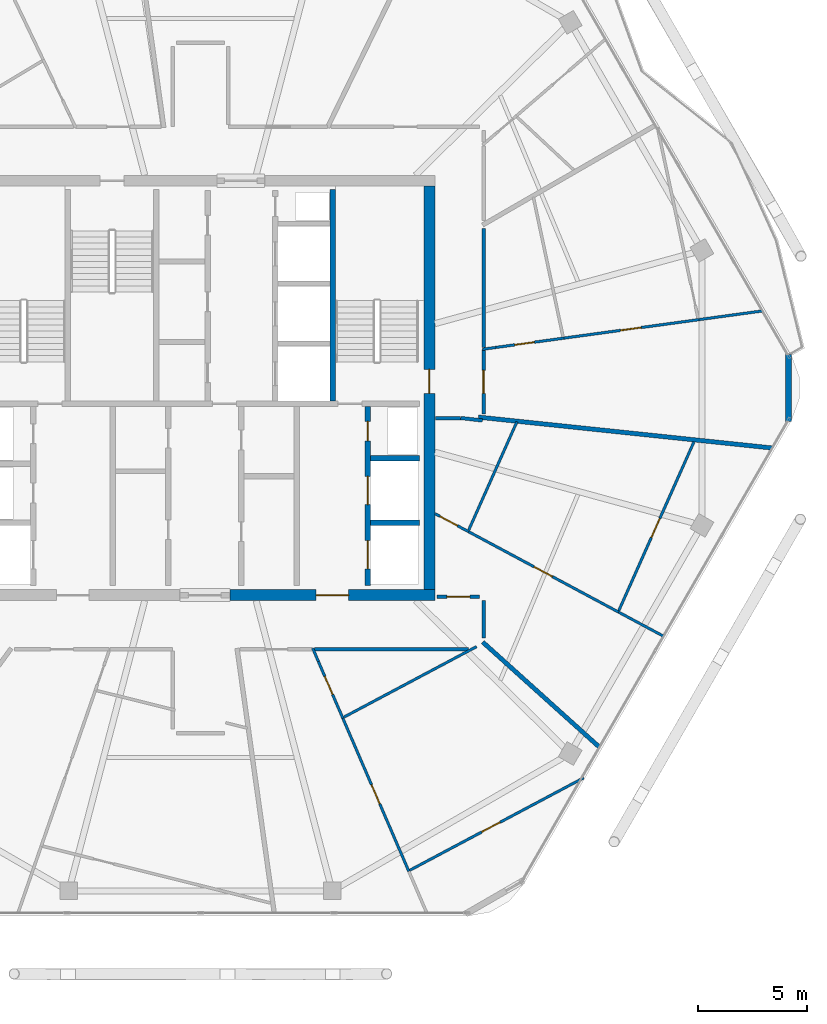
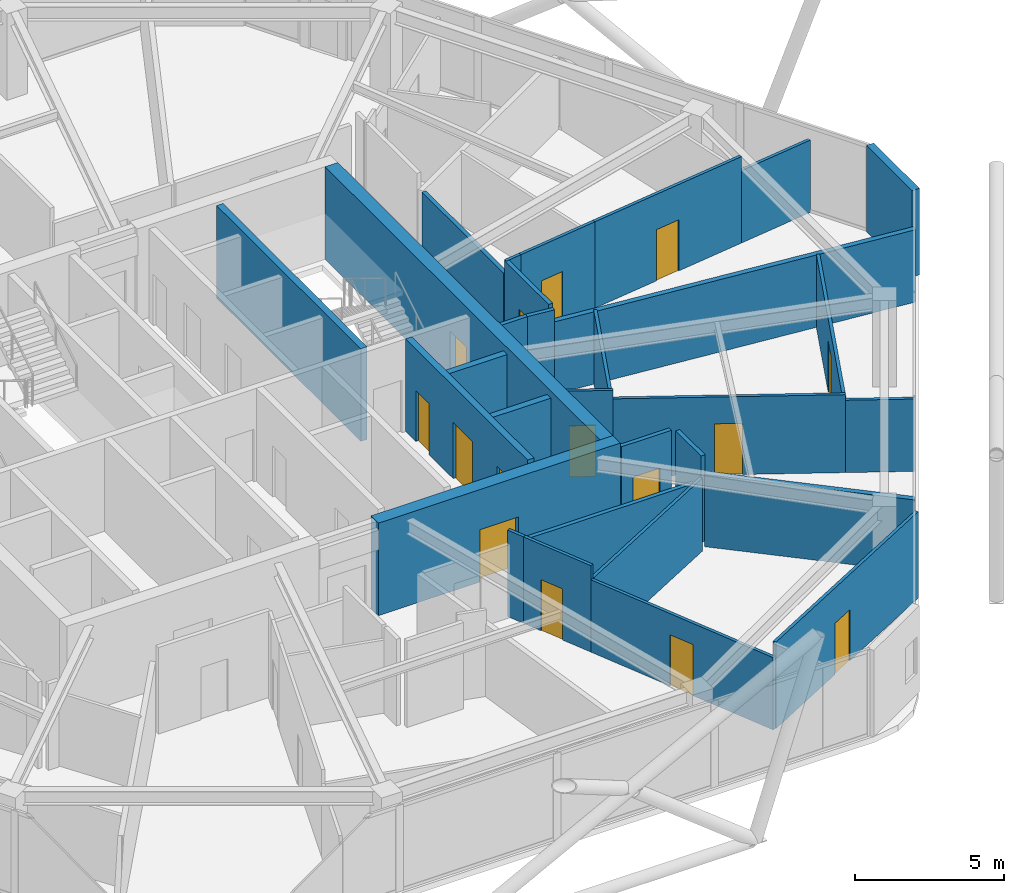
# One storey, part 19 of 24: 30 walls, 15 doors, 15 openings.
"""IFC4 building model written with IfcOpenShell, lengths in metres."""

from ifc_helpers import new_model, si_unit, direction, frame, frame_2d, origin, place, context, subcontext, project, spatial, rectangle, extrude, material, layer, layer_set, type_object, element, fill, save


model = new_model("IFC4")

# Units and contexts
model_context = context("Model", 3, precision=1e-05, world=origin(), true_north=direction((0.0, 1.0)))
body_context = subcontext(model_context, "Body", "Model", "MODEL_VIEW")
ifc_project = project(units=[si_unit("LENGTHUNIT", "METRE"), si_unit("AREAUNIT", "SQUARE_METRE"), si_unit("VOLUMEUNIT", "CUBIC_METRE"), si_unit("PLANEANGLEUNIT", "RADIAN"), si_unit("MASSUNIT", "GRAM", prefix="KILO")], contexts=[model_context])

# Site, building, storey
site_placement = place(None, origin())
site = spatial("IfcSite", under=ifc_project, at=site_placement, CompositionType="ELEMENT")
building_placement = place(site_placement, origin())
building = spatial("IfcBuilding", under=site, at=building_placement, Name="Zuhravey Tower", CompositionType="ELEMENT")
storey_placement = place(building_placement, frame((0.0, 0.0, 308.199951171875)))
storey = spatial("IfcBuildingStorey", under=building, at=storey_placement, Name="L78", CompositionType="ELEMENT", Elevation=308.199951171875)

# Wall, opening, door
ifc_material_1 = material(Name="Concrete C50/60", Category="concrete")
ifc_layer_1 = layer(ifc_material_1, 0.5)
ifc_layer_set_1 = layer_set([ifc_layer_1], Name="Concrete C50/60")
wall_type_1 = type_object("IfcWallType", Name="Core Shear Wall 500", PredefinedType="SHEAR", material=ifc_layer_set_1)
wall_1_placement = place(storey_placement, frame((37.35009765625, 22.5, 0.0), z_axis=(0.0, 0.0, 1.0), x_axis=(1.0, 0.0, 0.0)))
wall_1 = element("IfcWall", 1, at=wall_1_placement, inside=storey, type_object=wall_type_1, Name="L78 South-East Core Shear Wall CW50", PredefinedType="SHEAR", context=body_context, shape_type="SweptSolid", body=[
    extrude(rectangle(XDim=9.39990234375, YDim=0.5, at=frame_2d((4.699951171875, 0.0))), origin(), (0.0, 0.0, 1.0), 3.800048828125),
])
opening_1_placement = place(wall_1_placement, frame((3.949951171875, 0.0, 0.0)))
opening_1 = element("IfcOpeningElement", 2, at=opening_1_placement, cuts=wall_1, Name="Opening FFD1", PredefinedType="OPENING", context=body_context, shape_type="SweptSolid", body=[
    extrude(rectangle(XDim=1.5, YDim=2.14990234375, at=frame_2d((0.75, 1.074951171875))), frame((0.0, 0.261962890625, 0.0), z_axis=(0.0, -1.0, 0.0), x_axis=(1.0, 0.0, 0.0)), (0.0, 0.0, 1.0), 0.52392578125),
])
ifc_material_2 = material(Name="Galvanised fire-rated steel leaf", Category="steel")
door_type_1 = type_object("IfcDoorType", Name="Firefighting Lobby Double Door 1500x2150", OperationType="DOUBLE_DOOR_SINGLE_SWING", PredefinedType="DOOR", material=ifc_material_2)
door_1_placement = place(opening_1_placement, origin())
door_1 = element("IfcDoor", 3, at=door_1_placement, inside=storey, type_object=door_type_1, Name="L78 Firefighting Lobby East Door", OperationType="DOUBLE_DOOR_SINGLE_SWING", OverallHeight=2.14990234375, OverallWidth=1.5, PredefinedType="DOOR", context=body_context, shape_type="SweptSolid", body=[
    extrude(rectangle(XDim=1.5, YDim=2.14990234375, at=frame_2d((0.75, 1.074951171875))), frame((0.0, 0.02490234375, 0.0), z_axis=(0.0, -1.0, 0.0), x_axis=(1.0, 0.0, 0.0)), (0.0, 0.0, 1.0), 0.050048828125),
])
fill(opening_1, door_1)

wall_2_placement = place(storey_placement, frame((46.5, 22.75, 0.0), z_axis=(0.0, 0.0, 1.0), x_axis=(0.0, 1.0, 0.0)))
wall_2 = element("IfcWall", 4, at=wall_2_placement, inside=storey, type_object=wall_type_1, Name="L78 East Core Shear Wall CW50", PredefinedType="SHEAR", context=body_context, shape_type="SweptSolid", body=[
    extrude(rectangle(XDim=18.5, YDim=0.5, at=frame_2d((9.25, 0.0))), origin(), (0.0, 0.0, 1.0), 3.800048828125),
])
opening_2_placement = place(wall_2_placement, frame((9.0, 0.0, 0.0)))
opening_2 = element("IfcOpeningElement", 5, at=opening_2_placement, cuts=wall_2, Name="Opening STD1", PredefinedType="OPENING", context=body_context, shape_type="SweptSolid", body=[
    extrude(rectangle(XDim=1.10009765625, YDim=2.14990234375, at=frame_2d((0.550048828125, 1.074951171875))), frame((0.0, 0.261962890625, 0.0), z_axis=(0.0, -1.0, 0.0), x_axis=(1.0, 0.0, 0.0)), (0.0, 0.0, 1.0), 0.52392578125),
])
door_type_2 = type_object("IfcDoorType", Name="Protected Stair Fire Door 1100x2150", OperationType="NOTDEFINED", PredefinedType="USERDEFINED", material=ifc_material_2)
door_2_placement = place(opening_2_placement, origin())
door_2 = element("IfcDoor", 6, at=door_2_placement, inside=storey, type_object=door_type_2, Name="L78 Stair ST2 Door", ObjectType="EXITDOOR", OperationType="SINGLE_SWING_LEFT", OverallHeight=2.14990234375, OverallWidth=1.10009765625, PredefinedType="USERDEFINED", context=body_context, shape_type="SweptSolid", body=[
    extrude(rectangle(XDim=1.10009765625, YDim=2.14990234375, at=frame_2d((0.550048828125, 1.074951171875))), frame((0.0, 0.02490234375, 0.0), z_axis=(0.0, -1.0, 0.0), x_axis=(1.0, 0.0, 0.0)), (0.0, 0.0, 1.0), 0.050048828125),
])
fill(opening_2, door_2)

ifc_material_3 = material(Name="Gypsum fire-rated stud partition")
ifc_layer_2 = layer(ifc_material_3, 0.159912109375)
ifc_layer_set_2 = layer_set([ifc_layer_2], Name="Gypsum fire-rated stud partition")
wall_type_2 = type_object("IfcWallType", Name="Corridor Fire Partition 160", PredefinedType="PARTITIONING", material=ifc_layer_set_2)
wall_3_placement = place(storey_placement, frame((48.800048828125, 22.429931640625, 0.0), z_axis=(0.0, 0.0, 1.0), x_axis=(-1.0, 0.0, 0.0)))
wall_3 = element("IfcWall", 7, at=wall_3_placement, inside=storey, type_object=wall_type_2, Name="L78 IW16 Partition 043", PredefinedType="PARTITIONING", context=body_context, shape_type="SweptSolid", body=[
    extrude(rectangle(XDim=1.952880859375, YDim=0.159912109375, at=frame_2d((0.9765625, 0.0))), origin(), (0.0, 0.0, 1.0), 3.550048828125),
])
opening_3_placement = place(wall_3_placement, frame((0.451416015625, 0.0, 0.0)))
opening_3 = element("IfcOpeningElement", 8, at=opening_3_placement, cuts=wall_3, Name="Opening APD1", PredefinedType="OPENING", context=body_context, shape_type="SweptSolid", body=[
    extrude(rectangle(XDim=1.050048828125, YDim=2.14990234375, at=frame_2d((0.52490234375, 1.074951171875))), frame((0.0, 0.092041015625, 0.0), z_axis=(0.0, -1.0, 0.0), x_axis=(1.0, 0.0, 0.0)), (0.0, 0.0, 1.0), 0.183837890625),
])
ifc_material_4 = material(Name="Solid-core oak fire-rated leaf")
door_type_3 = type_object("IfcDoorType", Name="Apartment Entrance Fire Door 1050x2150", OperationType="NOTDEFINED", PredefinedType="DOOR", material=ifc_material_4)
door_3_placement = place(opening_3_placement, origin())
door_3 = element("IfcDoor", 9, at=door_3_placement, inside=storey, type_object=door_type_3, Name="L78 Door 043.1", OperationType="SINGLE_SWING_RIGHT", OverallHeight=2.14990234375, OverallWidth=1.050048828125, PredefinedType="DOOR", context=body_context, shape_type="SweptSolid", body=[
    extrude(rectangle(XDim=1.050048828125, YDim=2.14990234375, at=frame_2d((0.52490234375, 1.074951171875))), frame((0.0, 0.02490234375, 0.0), z_axis=(0.0, -1.0, 0.0), x_axis=(1.0, 0.0, 0.0)), (0.0, 0.0, 1.0), 0.050048828125),
])
fill(opening_3, door_3)

wall_4_placement = place(storey_placement, frame((48.97998046875, 30.800048828125, 0.0), z_axis=(0.0, 0.0, 1.0), x_axis=(0.0, 1.0, 0.0)))
wall_4 = element("IfcWall", 10, at=wall_4_placement, inside=storey, type_object=wall_type_2, Name="L78 IW16 Partition 047", PredefinedType="PARTITIONING", context=body_context, shape_type="SweptSolid", body=[
    extrude(rectangle(XDim=2.957763671875, YDim=0.159912109375, at=frame_2d((1.47900390625, 0.0))), origin(), (0.0, 0.0, 1.0), 3.550048828125),
])
opening_4_placement = place(wall_4_placement, frame((0.953857421875, 0.0, 0.0)))
opening_4 = element("IfcOpeningElement", 11, at=opening_4_placement, cuts=wall_4, Name="Opening APD1", PredefinedType="OPENING", context=body_context, shape_type="SweptSolid", body=[
    extrude(rectangle(XDim=1.050048828125, YDim=2.14990234375, at=frame_2d((0.52490234375, 1.074951171875))), frame((0.0, 0.092041015625, 0.0), z_axis=(0.0, -1.0, 0.0), x_axis=(1.0, 0.0, 0.0)), (0.0, 0.0, 1.0), 0.183837890625),
])
door_4_placement = place(opening_4_placement, frame((1.050048828125, 0.0, 0.0), z_axis=(0.0, 0.0, 1.0), x_axis=(-1.0, 0.0, 0.0)))
door_4 = element("IfcDoor", 12, at=door_4_placement, inside=storey, type_object=door_type_3, Name="L78 Door 047.1", OperationType="SINGLE_SWING_RIGHT", OverallHeight=2.14990234375, OverallWidth=1.050048828125, PredefinedType="DOOR", context=body_context, shape_type="SweptSolid", body=[
    extrude(rectangle(XDim=1.050048828125, YDim=2.14990234375, at=frame_2d((0.52490234375, 1.074951171875))), frame((0.0, 0.02490234375, 0.0), z_axis=(0.0, -1.0, 0.0), x_axis=(1.0, 0.0, 0.0)), (0.0, 0.0, 1.0), 0.050048828125),
])
fill(opening_4, door_4)

# Walls
wall_5_placement = place(storey_placement, frame((41.23828125, 20.02001953125, 0.0), z_axis=(0.0, 0.0, 1.0), x_axis=(1.0, 0.0, 0.0)))
element("IfcWall", 13, at=wall_5_placement, inside=storey, type_object=wall_type_2, Name="L78 IW16 Partition 107", PredefinedType="PARTITIONING", context=body_context, shape_type="SweptSolid", body=[
    extrude(rectangle(XDim=7.054931640625, YDim=0.159912109375, at=frame_2d((3.52734375, 0.0))), origin(), (0.0, 0.0, 1.0), 3.0),
])
wall_6_placement = place(storey_placement, frame((48.97998046875, 20.54296875, 0.0), z_axis=(0.0, 0.0, 1.0), x_axis=(0.0, 1.0, 0.0)))
element("IfcWall", 14, at=wall_6_placement, inside=storey, type_object=wall_type_2, Name="L78 IW16 Partition 108", PredefinedType="PARTITIONING", context=body_context, shape_type="SweptSolid", body=[
    extrude(rectangle(XDim=1.70703125, YDim=0.159912109375, at=frame_2d((0.853515625, 0.0))), origin(), (0.0, 0.0, 1.0), 3.550048828125),
])
wall_7_placement = place(storey_placement, frame((46.77001953125, 30.6201171875, 0.0), z_axis=(0.0, 0.0, 1.0), x_axis=(1.0, 0.0, 0.0)))
element("IfcWall", 15, at=wall_7_placement, inside=storey, type_object=wall_type_2, Name="L78 IW16 Partition 109", PredefinedType="PARTITIONING", context=body_context, shape_type="SweptSolid", body=[
    extrude(rectangle(XDim=1.165283203125, YDim=0.159912109375, at=frame_2d((0.58251953125, 0.0))), origin(), (0.0, 0.0, 1.0), 3.550048828125),
])
wall_8_placement = place(storey_placement, frame((47.935302734375, 30.6201171875, 0.0), z_axis=(0.0, 0.0, 1.0), x_axis=(0.99355156153, -0.113381191478, 0.0)))
element("IfcWall", 16, at=wall_8_placement, inside=storey, type_object=wall_type_2, Name="L78 IW16 Partition 110", PredefinedType="PARTITIONING", context=body_context, shape_type="SweptSolid", body=[
    extrude(rectangle(XDim=0.9990234375, YDim=0.159912109375, at=frame_2d((0.49951171875, 0.0))), origin(), (0.0, 0.0, 1.0), 3.550048828125),
])
wall_9_placement = place(storey_placement, frame((48.97998046875, 33.8466796875, 0.0), z_axis=(0.0, 0.0, 1.0), x_axis=(0.0, 1.0, 0.0)))
element("IfcWall", 17, at=wall_9_placement, inside=storey, type_object=wall_type_2, Name="L78 IW16 Partition 111", PredefinedType="PARTITIONING", context=body_context, shape_type="SweptSolid", body=[
    extrude(rectangle(XDim=5.47412109375, YDim=0.159912109375, at=frame_2d((2.737060546875, 0.0))), origin(), (0.0, 0.0, 1.0), 3.0),
])
ifc_material_5 = material(Name="Precast concrete C40/50", Category="concrete")
ifc_layer_3 = layer(ifc_material_5, 0.280029296875)
ifc_layer_set_3 = layer_set([ifc_layer_3], Name="Precast concrete C40/50")
wall_type_3 = type_object("IfcWallType", Name="Crown Architectural Wall 280", PredefinedType="SOLIDWALL", material=ifc_layer_set_3)
wall_10_placement = place(storey_placement, frame((62.968505859375, 33.532470703125, 0.0), z_axis=(0.0, 0.0, 1.0), x_axis=(0.0, -1.0, 0.0)))
element("IfcWall", 18, at=wall_10_placement, inside=storey, type_object=wall_type_3, Name="L78 Rounded Corner Closure Wall EW28-12", PredefinedType="SOLIDWALL", context=body_context, shape_type="SweptSolid", body=[
    extrude(rectangle(XDim=3.06494140625, YDim=0.280029296875, at=frame_2d((1.532470703125, 0.0))), origin(), (0.0, 0.0, 1.0), 3.550048828125),
])
ifc_layer_4 = layer(ifc_material_1, 0.25)
ifc_layer_set_4 = layer_set([ifc_layer_4], Name="Concrete C50/60")
wall_type_4 = type_object("IfcWallType", Name="Firefighting Shaft & Stair Wall 250", PredefinedType="SOLIDWALL", material=ifc_layer_set_4)
wall_11_placement = place(storey_placement, frame((42.074951171875, 31.39990234375, 0.0), z_axis=(0.0, 0.0, 1.0), x_axis=(0.0, 1.0, 0.0)))
element("IfcWall", 19, at=wall_11_placement, inside=storey, type_object=wall_type_4, Name="L78 FW25 Shaft Wall 006", PredefinedType="SOLIDWALL", context=body_context, shape_type="SweptSolid", body=[
    extrude(rectangle(XDim=9.7001953125, YDim=0.25, at=frame_2d((4.85009765625, 0.0))), origin(), (0.0, 0.0, 1.0), 3.800048828125),
])
for number, where, z_axis, x_axis, name in (
    (20, (43.800048828125, 25.824951171875, 0.0), (0.0, 0.0, 1.0), (1.0, 0.0, 0.0), "L78 FW25 Shaft Wall 017"),
    (21, (43.800048828125, 28.77490234375, 0.0), (0.0, 0.0, 1.0), (1.0, 0.0, 0.0), "L78 FW25 Shaft Wall 018"),
):
    element("IfcWall", number, at=place(storey_placement, frame(where, z_axis=z_axis, x_axis=x_axis)), inside=storey, type_object=wall_type_4, Name=name, PredefinedType="SOLIDWALL", context=body_context, shape_type="SweptSolid", body=[
        extrude(rectangle(XDim=2.25, YDim=0.25, at=frame_2d((1.125, 0.0))), origin(), (0.0, 0.0, 1.0), 3.800048828125),
    ])

# Wall, openings, doors
wall_12_placement = place(storey_placement, frame((43.675048828125, 22.949951171875, 0.0), z_axis=(0.0, 0.0, 1.0), x_axis=(0.0, 1.0, 0.0)))
wall_12 = element("IfcWall", 22, at=wall_12_placement, inside=storey, type_object=wall_type_4, Name="L78 FW25 Shaft Wall 019", PredefinedType="SOLIDWALL", context=body_context, shape_type="SweptSolid", body=[
    extrude(rectangle(XDim=8.199951171875, YDim=0.25, at=frame_2d((4.10009765625, 0.0))), origin(), (0.0, 0.0, 1.0), 3.800048828125),
])
opening_5_placement = place(wall_12_placement, frame((0.75, 0.0, 0.0)))
opening_5 = element("IfcOpeningElement", 23, at=opening_5_placement, cuts=wall_12, Name="Opening LD2", PredefinedType="OPENING", context=body_context, shape_type="SweptSolid", body=[
    extrude(rectangle(XDim=1.300048828125, YDim=2.300048828125, at=frame_2d((0.64990234375, 1.14990234375))), frame((0.0, 0.136962890625, 0.0), z_axis=(0.0, -1.0, 0.0), x_axis=(1.0, 0.0, 0.0)), (0.0, 0.0, 1.0), 0.27392578125),
])
opening_6_placement = place(wall_12_placement, frame((3.699951171875, 0.0, 0.0)))
opening_6 = element("IfcOpeningElement", 24, at=opening_6_placement, cuts=wall_12, Name="Opening LD2", PredefinedType="OPENING", context=body_context, shape_type="SweptSolid", body=[
    extrude(rectangle(XDim=1.300048828125, YDim=2.300048828125, at=frame_2d((0.64990234375, 1.14990234375))), frame((0.0, 0.136962890625, 0.0), z_axis=(0.0, -1.0, 0.0), x_axis=(1.0, 0.0, 0.0)), (0.0, 0.0, 1.0), 0.27392578125),
])
opening_7_placement = place(wall_12_placement, frame((6.6201171875, 0.0, 0.0)))
opening_7 = element("IfcOpeningElement", 25, at=opening_7_placement, cuts=wall_12, Name="Opening RSD1", PredefinedType="OPENING", context=body_context, shape_type="SweptSolid", body=[
    extrude(rectangle(XDim=0.89990234375, YDim=2.10009765625, at=frame_2d((0.449951171875, 1.050048828125))), frame((0.0, 0.136962890625, 0.0), z_axis=(0.0, -1.0, 0.0), x_axis=(1.0, 0.0, 0.0)), (0.0, 0.0, 1.0), 0.27392578125),
])
ifc_material_6 = material(Name="Brushed stainless steel", Category="steel")
door_type_4 = type_object("IfcDoorType", Name="Freight & Stretcher Lift Sliding Door 1300x2300", OperationType="DOUBLE_DOOR_SLIDING", PredefinedType="DOOR", material=ifc_material_6)
door_5_placement = place(opening_5_placement, origin())
door_5 = element("IfcDoor", 26, at=door_5_placement, inside=storey, type_object=door_type_4, Name="L78 Lift FF2 Landing Door", OperationType="DOUBLE_DOOR_SLIDING", OverallHeight=2.300048828125, OverallWidth=1.300048828125, PredefinedType="DOOR", context=body_context, shape_type="SweptSolid", body=[
    extrude(rectangle(XDim=1.300048828125, YDim=2.300048828125, at=frame_2d((0.64990234375, 1.14990234375))), frame((0.0, 0.02490234375, 0.0), z_axis=(0.0, -1.0, 0.0), x_axis=(1.0, 0.0, 0.0)), (0.0, 0.0, 1.0), 0.050048828125),
])
fill(opening_5, door_5)
door_6_placement = place(opening_6_placement, origin())
door_6 = element("IfcDoor", 27, at=door_6_placement, inside=storey, type_object=door_type_4, Name="L78 Lift SV1 Landing Door", OperationType="DOUBLE_DOOR_SLIDING", OverallHeight=2.300048828125, OverallWidth=1.300048828125, PredefinedType="DOOR", context=body_context, shape_type="SweptSolid", body=[
    extrude(rectangle(XDim=1.300048828125, YDim=2.300048828125, at=frame_2d((0.64990234375, 1.14990234375))), frame((0.0, 0.02490234375, 0.0), z_axis=(0.0, -1.0, 0.0), x_axis=(1.0, 0.0, 0.0)), (0.0, 0.0, 1.0), 0.050048828125),
])
fill(opening_6, door_6)
ifc_material_7 = material(Name="Galvanised fire-rated steel access leaf", Category="steel")
door_type_5 = type_object("IfcDoorType", Name="Riser & Shaft Access Fire Door 900x2100", OperationType="NOTDEFINED", PredefinedType="DOOR", material=ifc_material_7)
door_7_placement = place(opening_7_placement, origin())
door_7 = element("IfcDoor", 28, at=door_7_placement, inside=storey, type_object=door_type_5, Name="L78 Plumbing Riser Door", OperationType="SINGLE_SWING_RIGHT", OverallHeight=2.10009765625, OverallWidth=0.89990234375, PredefinedType="DOOR", context=body_context, shape_type="SweptSolid", body=[
    extrude(rectangle(XDim=0.89990234375, YDim=2.10009765625, at=frame_2d((0.449951171875, 1.050048828125))), frame((0.0, 0.02490234375, 0.0), z_axis=(0.0, -1.0, 0.0), x_axis=(1.0, 0.0, 0.0)), (0.0, 0.0, 1.0), 0.050048828125),
])
fill(opening_7, door_7)

# Walls
ifc_material_8 = material(Name="Gypsum double-stud party assembly")
ifc_layer_5 = layer(ifc_material_8, 0.199951171875)
ifc_layer_set_5 = layer_set([ifc_layer_5], Name="Gypsum double-stud party assembly")
wall_type_5 = type_object("IfcWallType", Name="Inter-Tenancy Party Wall 200", PredefinedType="PARTITIONING", material=ifc_layer_set_5)
wall_13_placement = place(storey_placement, frame((48.93994140625, 20.348876953125, 0.0), z_axis=(0.0, 0.0, 1.0), x_axis=(0.74315080538, -0.669123964944, 0.0)))
element("IfcWall", 29, at=wall_13_placement, inside=storey, type_object=wall_type_5, Name="L78 IW20 Partition 083", PredefinedType="PARTITIONING", context=body_context, shape_type="SweptSolid", body=[
    extrude(rectangle(XDim=7.199462890625, YDim=0.199951171875, at=frame_2d((3.599609375, 0.0))), origin(), (0.0, 0.0, 1.0), 2.969970703125),
])
wall_14_placement = place(storey_placement, frame((48.749267578125, 30.659912109375, 0.0), z_axis=(0.0, 0.0, 1.0), x_axis=(0.994522047609, -0.104527014781, 0.0)))
element("IfcWall", 30, at=wall_14_placement, inside=storey, type_object=wall_type_5, Name="L78 IW20 Partition 086", PredefinedType="PARTITIONING", context=body_context, shape_type="SweptSolid", body=[
    extrude(rectangle(XDim=13.532958984375, YDim=0.199951171875, at=frame_2d((6.7666015625, 0.0))), origin(), (0.0, 0.0, 1.0), 2.969970703125),
])

# Wall, opening, door
ifc_material_9 = material(Name="Gypsum metal-stud partition")
ifc_layer_6 = layer(ifc_material_9, 0.1201171875)
ifc_layer_set_6 = layer_set([ifc_layer_6], Name="Gypsum metal-stud partition")
wall_type_6 = type_object("IfcWallType", Name="Unit Internal Partition 120", PredefinedType="PARTITIONING", material=ifc_layer_set_6)
wall_15_placement = place(storey_placement, frame((41.41015625, 19.449951171875, 0.0), z_axis=(0.0, 0.0, 1.0), x_axis=(0.395844398044, -0.918317598948, 0.0)))
wall_15 = element("IfcWall", 31, at=wall_15_placement, inside=storey, type_object=wall_type_6, Name="L78 IW12 Partition 036", PredefinedType="PARTITIONING", context=body_context, shape_type="SweptSolid", body=[
    extrude(rectangle(XDim=2.830322265625, YDim=0.1201171875, at=frame_2d((1.4150390625, 0.0))), origin(), (0.0, 0.0, 1.0), 3.550048828125),
])
opening_8_placement = place(wall_15_placement, frame((0.73876953125, 0.0, 0.0)))
opening_8 = element("IfcOpeningElement", 32, at=opening_8_placement, cuts=wall_15, Name="Opening WCD1", PredefinedType="OPENING", context=body_context, shape_type="SweptSolid", body=[
    extrude(rectangle(XDim=0.89990234375, YDim=2.10009765625, at=frame_2d((0.449951171875, 1.050048828125))), frame((0.0, 0.072021484375, 0.0), z_axis=(0.0, -1.0, 0.0), x_axis=(1.0, 0.0, 0.0)), (0.0, 0.0, 1.0), 0.14404296875),
])
ifc_material_10 = material(Name="Moisture-resistant timber leaf", Category="wood")
door_type_6 = type_object("IfcDoorType", Name="Bathroom & WC Internal Door 900x2100", OperationType="NOTDEFINED", PredefinedType="DOOR", material=ifc_material_10)
door_8_placement = place(opening_8_placement, origin())
door_8 = element("IfcDoor", 33, at=door_8_placement, inside=storey, type_object=door_type_6, Name="Apartment L78-05 Bathroom Door", OperationType="SINGLE_SWING_LEFT", OverallHeight=2.10009765625, OverallWidth=0.89990234375, PredefinedType="DOOR", context=body_context, shape_type="SweptSolid", body=[
    extrude(rectangle(XDim=0.89990234375, YDim=2.10009765625, at=frame_2d((0.449951171875, 1.050048828125))), frame((0.0, 0.02490234375, 0.0), z_axis=(0.0, -1.0, 0.0), x_axis=(1.0, 0.0, 0.0)), (0.0, 0.0, 1.0), 0.050048828125),
])
fill(opening_8, door_8)

wall_16_placement = place(storey_placement, frame((42.530517578125, 16.850830078125, 0.0), z_axis=(0.0, 0.0, 1.0), x_axis=(0.39587300587, -0.918305266904, 0.0)))
wall_16 = element("IfcWall", 34, at=wall_16_placement, inside=storey, type_object=wall_type_6, Name="L78 IW12 Partition 037", PredefinedType="PARTITIONING", context=body_context, shape_type="SweptSolid", body=[
    extrude(rectangle(XDim=7.642822265625, YDim=0.1201171875, at=frame_2d((3.8212890625, 0.0))), origin(), (0.0, 0.0, 1.0), 2.969970703125),
])
opening_9_placement = place(wall_16_placement, frame((3.321533203125, 0.0, 0.0)))
opening_9 = element("IfcOpeningElement", 35, at=opening_9_placement, cuts=wall_16, Name="Opening IND1", PredefinedType="OPENING", context=body_context, shape_type="SweptSolid", body=[
    extrude(rectangle(XDim=0.949951171875, YDim=2.10009765625, at=frame_2d((0.47509765625, 1.050048828125))), frame((0.0, 0.072021484375, 0.0), z_axis=(0.0, -1.0, 0.0), x_axis=(1.0, 0.0, 0.0)), (0.0, 0.0, 1.0), 0.14404296875),
])
ifc_material_11 = material(Name="Painted engineered timber leaf", Category="wood")
door_type_7 = type_object("IfcDoorType", Name="Internal Room & Bedroom Door 950x2100", OperationType="NOTDEFINED", PredefinedType="DOOR", material=ifc_material_11)
door_9_placement = place(opening_9_placement, origin())
door_9 = element("IfcDoor", 36, at=door_9_placement, inside=storey, type_object=door_type_7, Name="Apartment L78-05 Home Office Door", OperationType="SINGLE_SWING_RIGHT", OverallHeight=2.10009765625, OverallWidth=0.949951171875, PredefinedType="DOOR", context=body_context, shape_type="SweptSolid", body=[
    extrude(rectangle(XDim=0.949951171875, YDim=2.10009765625, at=frame_2d((0.47509765625, 1.050048828125))), frame((0.0, 0.02490234375, 0.0), z_axis=(0.0, -1.0, 0.0), x_axis=(1.0, 0.0, 0.0)), (0.0, 0.0, 1.0), 0.050048828125),
])
fill(opening_9, door_9)

wall_17_placement = place(storey_placement, frame((45.606689453125, 9.88720703125, 0.0), z_axis=(0.0, 0.0, 1.0), x_axis=(0.882942125216, 0.469481845782, 0.0)))
wall_17 = element("IfcWall", 37, at=wall_17_placement, inside=storey, type_object=wall_type_6, Name="L78 IW12 Partition 038", PredefinedType="PARTITIONING", context=body_context, shape_type="SweptSolid", body=[
    extrude(rectangle(XDim=9.0166015625, YDim=0.1201171875, at=frame_2d((4.50830078125, 0.0))), origin(), (0.0, 0.0, 1.0), 3.550048828125),
])
opening_10_placement = place(wall_17_placement, frame((3.72900390625, 0.0, 0.0)))
opening_10 = element("IfcOpeningElement", 38, at=opening_10_placement, cuts=wall_17, Name="Opening IND1", PredefinedType="OPENING", context=body_context, shape_type="SweptSolid", body=[
    extrude(rectangle(XDim=0.949951171875, YDim=2.10009765625, at=frame_2d((0.47509765625, 1.050048828125))), frame((0.0, 0.072021484375, 0.0), z_axis=(0.0, -1.0, 0.0), x_axis=(1.0, 0.0, 0.0)), (0.0, 0.0, 1.0), 0.14404296875),
])
door_10_placement = place(opening_10_placement, frame((0.949951171875, 0.0, 0.0), z_axis=(0.0, 0.0, 1.0), x_axis=(-1.0, 0.0, 0.0)))
door_10 = element("IfcDoor", 39, at=door_10_placement, inside=storey, type_object=door_type_7, Name="Apartment L78-05 Bedroom 1 Door", OperationType="SINGLE_SWING_LEFT", OverallHeight=2.10009765625, OverallWidth=0.949951171875, PredefinedType="DOOR", context=body_context, shape_type="SweptSolid", body=[
    extrude(rectangle(XDim=0.949951171875, YDim=2.10009765625, at=frame_2d((0.47509765625, 1.050048828125))), frame((0.0, 0.02490234375, 0.0), z_axis=(0.0, -1.0, 0.0), x_axis=(1.0, 0.0, 0.0)), (0.0, 0.0, 1.0), 0.050048828125),
])
fill(opening_10, door_10)

wall_18_placement = place(storey_placement, frame((46.758056640625, 26.231689453125, 0.0), z_axis=(0.0, 0.0, 1.0), x_axis=(0.881229995183, -0.472687735814, 0.0)))
wall_18 = element("IfcWall", 40, at=wall_18_placement, inside=storey, type_object=wall_type_6, Name="L78 IW12 Partition 040", PredefinedType="PARTITIONING", context=body_context, shape_type="SweptSolid", body=[
    extrude(rectangle(XDim=1.7431640625, YDim=0.1201171875, at=frame_2d((0.87158203125, 0.0))), origin(), (0.0, 0.0, 1.0), 3.550048828125),
])
opening_11_placement = place(wall_18_placement, frame((0.260498046875, 0.0, 0.0)))
opening_11 = element("IfcOpeningElement", 41, at=opening_11_placement, cuts=wall_18, Name="Opening WCD1", PredefinedType="OPENING", context=body_context, shape_type="SweptSolid", body=[
    extrude(rectangle(XDim=0.89990234375, YDim=2.10009765625, at=frame_2d((0.449951171875, 1.050048828125))), frame((0.0, 0.072021484375, 0.0), z_axis=(0.0, -1.0, 0.0), x_axis=(1.0, 0.0, 0.0)), (0.0, 0.0, 1.0), 0.14404296875),
])
door_11_placement = place(opening_11_placement, origin())
door_11 = element("IfcDoor", 42, at=door_11_placement, inside=storey, type_object=door_type_6, Name="Apartment L78-06 Bathroom Door", OperationType="SINGLE_SWING_LEFT", OverallHeight=2.10009765625, OverallWidth=0.89990234375, PredefinedType="DOOR", context=body_context, shape_type="SweptSolid", body=[
    extrude(rectangle(XDim=0.89990234375, YDim=2.10009765625, at=frame_2d((0.449951171875, 1.050048828125))), frame((0.0, 0.02490234375, 0.0), z_axis=(0.0, -1.0, 0.0), x_axis=(1.0, 0.0, 0.0)), (0.0, 0.0, 1.0), 0.050048828125),
])
fill(opening_11, door_11)

wall_19_placement = place(storey_placement, frame((48.294189453125, 25.40771484375, 0.0), z_axis=(0.0, 0.0, 1.0), x_axis=(0.881316812489, -0.472525846937, 0.0)))
wall_19 = element("IfcWall", 43, at=wall_19_placement, inside=storey, type_object=wall_type_6, Name="L78 IW12 Partition 041", PredefinedType="PARTITIONING", context=body_context, shape_type="SweptSolid", body=[
    extrude(rectangle(XDim=7.810546875, YDim=0.1201171875, at=frame_2d((3.9052734375, 0.0))), origin(), (0.0, 0.0, 1.0), 3.199951171875),
])
opening_12_placement = place(wall_19_placement, frame((3.4052734375, 0.0, 0.0)))
opening_12 = element("IfcOpeningElement", 44, at=opening_12_placement, cuts=wall_19, Name="Opening IND1", PredefinedType="OPENING", context=body_context, shape_type="SweptSolid", body=[
    extrude(rectangle(XDim=0.949951171875, YDim=2.10009765625, at=frame_2d((0.47509765625, 1.050048828125))), frame((0.0, 0.072021484375, 0.0), z_axis=(0.0, -1.0, 0.0), x_axis=(1.0, 0.0, 0.0)), (0.0, 0.0, 1.0), 0.14404296875),
])
door_12_placement = place(opening_12_placement, origin())
door_12 = element("IfcDoor", 45, at=door_12_placement, inside=storey, type_object=door_type_7, Name="Apartment L78-06 Home Office Door", OperationType="SINGLE_SWING_RIGHT", OverallHeight=2.10009765625, OverallWidth=0.949951171875, PredefinedType="DOOR", context=body_context, shape_type="SweptSolid", body=[
    extrude(rectangle(XDim=0.949951171875, YDim=2.10009765625, at=frame_2d((0.47509765625, 1.050048828125))), frame((0.0, 0.02490234375, 0.0), z_axis=(0.0, -1.0, 0.0), x_axis=(1.0, 0.0, 0.0)), (0.0, 0.0, 1.0), 0.050048828125),
])
fill(opening_12, door_12)

wall_20_placement = place(storey_placement, frame((55.183349609375, 21.791015625, 0.0), z_axis=(0.0, 0.0, 1.0), x_axis=(0.406737913361, 0.913544892074, 0.0)))
wall_20 = element("IfcWall", 46, at=wall_20_placement, inside=storey, type_object=wall_type_6, Name="L78 IW12 Partition 042", PredefinedType="PARTITIONING", context=body_context, shape_type="SweptSolid", body=[
    extrude(rectangle(XDim=8.46337890625, YDim=0.1201171875, at=frame_2d((4.231689453125, 0.0))), origin(), (0.0, 0.0, 1.0), 3.0),
])
opening_13_placement = place(wall_20_placement, frame((3.67236328125, 0.0, 0.0)))
opening_13 = element("IfcOpeningElement", 47, at=opening_13_placement, cuts=wall_20, Name="Opening IND1", PredefinedType="OPENING", context=body_context, shape_type="SweptSolid", body=[
    extrude(rectangle(XDim=0.949951171875, YDim=2.10009765625, at=frame_2d((0.47509765625, 1.050048828125))), frame((0.0, 0.072021484375, 0.0), z_axis=(0.0, -1.0, 0.0), x_axis=(1.0, 0.0, 0.0)), (0.0, 0.0, 1.0), 0.14404296875),
])
door_13_placement = place(opening_13_placement, frame((0.949951171875, 0.0, 0.0), z_axis=(0.0, 0.0, 1.0), x_axis=(-1.0, 0.0, 0.0)))
door_13 = element("IfcDoor", 48, at=door_13_placement, inside=storey, type_object=door_type_7, Name="Apartment L78-06 Bedroom 1 Door", OperationType="SINGLE_SWING_LEFT", OverallHeight=2.10009765625, OverallWidth=0.949951171875, PredefinedType="DOOR", context=body_context, shape_type="SweptSolid", body=[
    extrude(rectangle(XDim=0.949951171875, YDim=2.10009765625, at=frame_2d((0.47509765625, 1.050048828125))), frame((0.0, 0.02490234375, 0.0), z_axis=(0.0, -1.0, 0.0), x_axis=(1.0, 0.0, 0.0)), (0.0, 0.0, 1.0), 0.050048828125),
])
fill(opening_13, door_13)

wall_21_placement = place(storey_placement, frame((49.550048828125, 33.856201171875, 0.0), z_axis=(0.0, 0.0, 1.0), x_axis=(0.990754403165, 0.135667654987, 0.0)))
wall_21 = element("IfcWall", 49, at=wall_21_placement, inside=storey, type_object=wall_type_6, Name="L78 IW12 Partition 044", PredefinedType="PARTITIONING", context=body_context, shape_type="SweptSolid", body=[
    extrude(rectangle(XDim=3.143798828125, YDim=0.1201171875, at=frame_2d((1.57177734375, 0.0))), origin(), (0.0, 0.0, 1.0), 3.550048828125),
])
opening_14_placement = place(wall_21_placement, frame((0.870361328125, 0.0, 0.0)))
opening_14 = element("IfcOpeningElement", 50, at=opening_14_placement, cuts=wall_21, Name="Opening WCD1", PredefinedType="OPENING", context=body_context, shape_type="SweptSolid", body=[
    extrude(rectangle(XDim=0.89990234375, YDim=2.10009765625, at=frame_2d((0.449951171875, 1.050048828125))), frame((0.0, 0.072021484375, 0.0), z_axis=(0.0, -1.0, 0.0), x_axis=(1.0, 0.0, 0.0)), (0.0, 0.0, 1.0), 0.14404296875),
])
door_14_placement = place(opening_14_placement, origin())
door_14 = element("IfcDoor", 51, at=door_14_placement, inside=storey, type_object=door_type_6, Name="Apartment L78-07 Bathroom Door", OperationType="SINGLE_SWING_LEFT", OverallHeight=2.10009765625, OverallWidth=0.89990234375, PredefinedType="DOOR", context=body_context, shape_type="SweptSolid", body=[
    extrude(rectangle(XDim=0.89990234375, YDim=2.10009765625, at=frame_2d((0.449951171875, 1.050048828125))), frame((0.0, 0.02490234375, 0.0), z_axis=(0.0, -1.0, 0.0), x_axis=(1.0, 0.0, 0.0)), (0.0, 0.0, 1.0), 0.050048828125),
])
fill(opening_14, door_14)

wall_22_placement = place(storey_placement, frame((52.664794921875, 34.28271484375, 0.0), z_axis=(0.0, 0.0, 1.0), x_axis=(0.990745092284, 0.135735633182, 0.0)))
wall_22 = element("IfcWall", 52, at=wall_22_placement, inside=storey, type_object=wall_type_6, Name="L78 IW12 Partition 045", PredefinedType="PARTITIONING", context=body_context, shape_type="SweptSolid", body=[
    extrude(rectangle(XDim=6.24853515625, YDim=0.1201171875, at=frame_2d((3.124267578125, 0.0))), origin(), (0.0, 0.0, 1.0), 3.550048828125),
])
opening_15_placement = place(wall_22_placement, frame((2.624267578125, 0.0, 0.0)))
opening_15 = element("IfcOpeningElement", 53, at=opening_15_placement, cuts=wall_22, Name="Opening IND1", PredefinedType="OPENING", context=body_context, shape_type="SweptSolid", body=[
    extrude(rectangle(XDim=0.949951171875, YDim=2.10009765625, at=frame_2d((0.47509765625, 1.050048828125))), frame((0.0, 0.072021484375, 0.0), z_axis=(0.0, -1.0, 0.0), x_axis=(1.0, 0.0, 0.0)), (0.0, 0.0, 1.0), 0.14404296875),
])
door_15_placement = place(opening_15_placement, origin())
door_15 = element("IfcDoor", 54, at=door_15_placement, inside=storey, type_object=door_type_7, Name="Apartment L78-07 Home Office Door", OperationType="SINGLE_SWING_RIGHT", OverallHeight=2.10009765625, OverallWidth=0.949951171875, PredefinedType="DOOR", context=body_context, shape_type="SweptSolid", body=[
    extrude(rectangle(XDim=0.949951171875, YDim=2.10009765625, at=frame_2d((0.47509765625, 1.050048828125))), frame((0.0, 0.02490234375, 0.0), z_axis=(0.0, -1.0, 0.0), x_axis=(1.0, 0.0, 0.0)), (0.0, 0.0, 1.0), 0.050048828125),
])
fill(opening_15, door_15)

# Walls
wall_23_placement = place(storey_placement, frame((41.14599609375, 20.06298828125, 0.0), z_axis=(0.0, 0.0, 1.0), x_axis=(0.395728306554, -0.918367631938, 0.0)))
element("IfcWall", 55, at=wall_23_placement, inside=storey, type_object=wall_type_6, Name="L78 IW12 Partition 080", PredefinedType="PARTITIONING", context=body_context, shape_type="SweptSolid", body=[
    extrude(rectangle(XDim=0.66748046875, YDim=0.1201171875, at=frame_2d((0.333740234375, 0.0))), origin(), (0.0, 0.0, 1.0), 3.550048828125),
])
wall_24_placement = place(storey_placement, frame((42.5810546875, 16.90576171875, 0.0), z_axis=(0.0, 0.0, 1.0), x_axis=(0.882955532535, 0.469456630122, 0.0)))
element("IfcWall", 56, at=wall_24_placement, inside=storey, type_object=wall_type_6, Name="L78 IW12 Partition 082", PredefinedType="PARTITIONING", context=body_context, shape_type="SweptSolid", body=[
    extrude(rectangle(XDim=6.88916015625, YDim=0.1201171875, at=frame_2d((3.444580078125, 0.0))), origin(), (0.0, 0.0, 1.0), 3.0),
])
wall_25_placement = place(storey_placement, frame((55.177734375, 21.717041015625, 0.0), z_axis=(0.0, 0.0, 1.0), x_axis=(0.881280537469, -0.472593497922, 0.0)))
element("IfcWall", 57, at=wall_25_placement, inside=storey, type_object=wall_type_6, Name="L78 IW12 Partition 084", PredefinedType="PARTITIONING", context=body_context, shape_type="SweptSolid", body=[
    extrude(rectangle(XDim=2.330322265625, YDim=0.1201171875, at=frame_2d((1.1650390625, 0.0))), origin(), (0.0, 0.0, 1.0), 2.969970703125),
])
wall_26_placement = place(storey_placement, frame((48.300048828125, 25.48193359375, 0.0), z_axis=(0.0, 0.0, 1.0), x_axis=(0.406734356289, 0.913546475782, 0.0)))
element("IfcWall", 58, at=wall_26_placement, inside=storey, type_object=wall_type_6, Name="L78 IW12 Partition 085", PredefinedType="PARTITIONING", context=body_context, shape_type="SweptSolid", body=[
    extrude(rectangle(XDim=5.435302734375, YDim=0.1201171875, at=frame_2d((2.7177734375, 0.0))), origin(), (0.0, 0.0, 1.0), 3.0),
])
wall_27_placement = place(storey_placement, frame((48.935302734375, 33.77197265625, 0.0), z_axis=(0.0, 0.0, 1.0), x_axis=(0.990743771345, 0.135745274469, 0.0)))
element("IfcWall", 59, at=wall_27_placement, inside=storey, type_object=wall_type_6, Name="L78 IW12 Partition 087", PredefinedType="PARTITIONING", context=body_context, shape_type="SweptSolid", body=[
    extrude(rectangle(XDim=0.62060546875, YDim=0.1201171875, at=frame_2d((0.310302734375, 0.0))), origin(), (0.0, 0.0, 1.0), 3.550048828125),
])
wall_28_placement = place(storey_placement, frame((58.85546875, 35.130859375, 0.0), z_axis=(0.0, 0.0, 1.0), x_axis=(0.990749539567, 0.135703168156, 0.0)))
element("IfcWall", 60, at=wall_28_placement, inside=storey, type_object=wall_type_6, Name="L78 IW12 Partition 088", PredefinedType="PARTITIONING", context=body_context, shape_type="SweptSolid", body=[
    extrude(rectangle(XDim=2.93603515625, YDim=0.1201171875, at=frame_2d((1.468017578125, 0.0))), origin(), (0.0, 0.0, 1.0), 2.969970703125),
])

save(model, "model.ifc")
